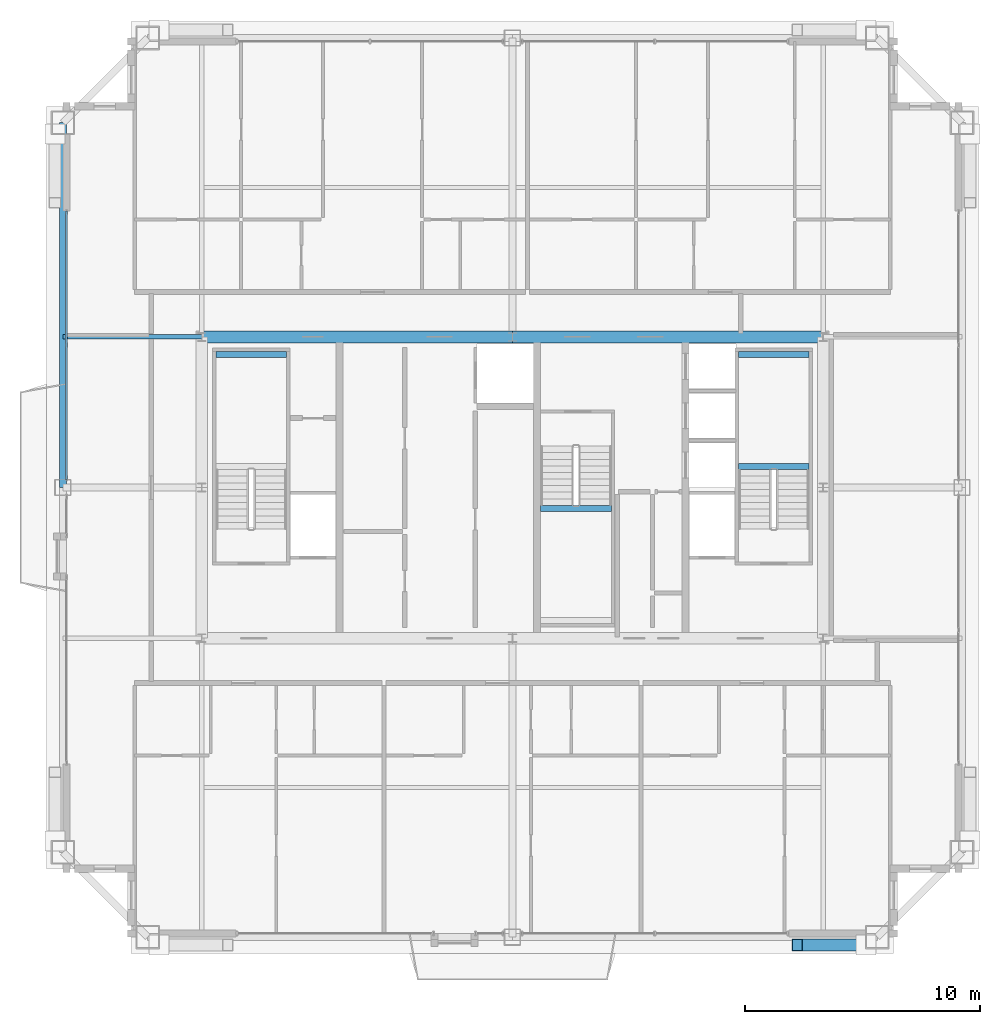
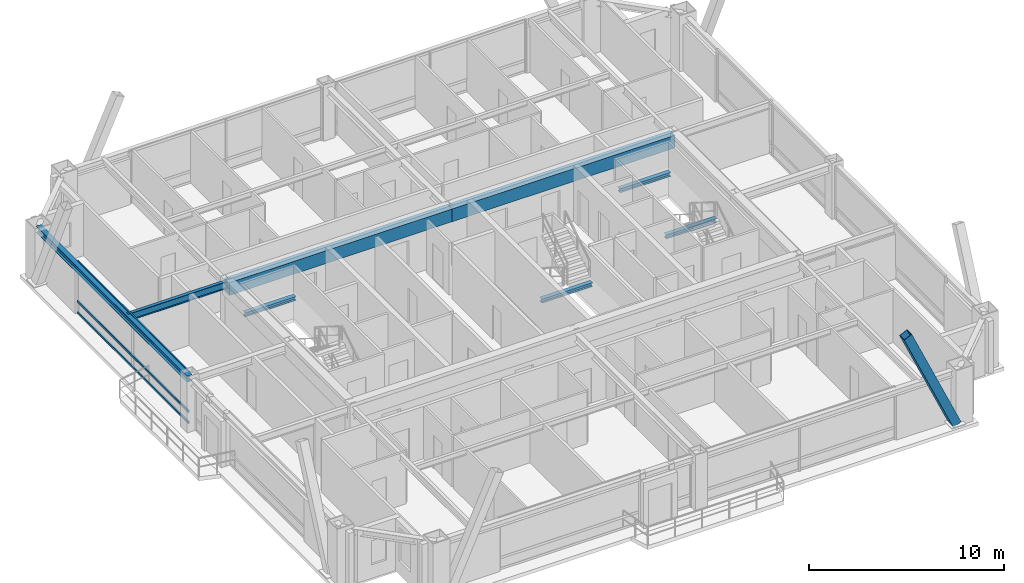
# One storey, part 10 of 33: 8 beams, 4 members, 1 element without a shape of its own.
"""IFC4 building model written with IfcOpenShell, lengths in metres."""

from ifc_helpers import new_model, si_unit, direction, frame, origin, origin_2d, place, context, subcontext, project, spatial, rectangle, hollow_rectangle, i_section, extrude, source, transform, mapped, material, layer, layer_set, material_profile, profile_set, type_object, element, aggregate, save


model = new_model("IFC4")

# Units and contexts
model_context = context("Model", 3, precision=1e-05, world=origin(), true_north=direction((0.0, 1.0)))
body_context = subcontext(model_context, "Body", "Model", "MODEL_VIEW")
ifc_project = project(units=[si_unit("LENGTHUNIT", "METRE"), si_unit("AREAUNIT", "SQUARE_METRE"), si_unit("VOLUMEUNIT", "CUBIC_METRE"), si_unit("PLANEANGLEUNIT", "RADIAN"), si_unit("MASSUNIT", "GRAM", prefix="KILO"), si_unit("THERMODYNAMICTEMPERATUREUNIT", "KELVIN"), si_unit("POWERUNIT", "WATT")], contexts=[model_context])

# Site, building, storey
site_placement = place(None, origin())
site = spatial("IfcSite", under=ifc_project, at=site_placement, CompositionType="ELEMENT")
building_placement = place(site_placement, origin())
building = spatial("IfcBuilding", under=site, at=building_placement, Name="Yuzanri Waterfront Tower", CompositionType="ELEMENT")
storey_placement = place(building_placement, frame((0.0, 0.0, 292.60009765625)))
storey = spatial("IfcBuildingStorey", under=building, at=storey_placement, Name="L78", CompositionType="ELEMENT", Elevation=292.60009765625)

# Beams
ifc_material_1 = material(Name="Concrete C50", Category="concrete")
ifc_material_profile_1 = material_profile(ifc_material_1, rectangle(XDim=0.5, YDim=0.800048828125, at=origin_2d()), Name="RC 500x800")
ifc_profile_set_1 = profile_set([ifc_material_profile_1], Name="Concrete C50")
beam_type_1 = type_object("IfcBeamType", Name="Core Coupling Lintel Concrete C50 500x800", PredefinedType="LINTEL", material=ifc_profile_set_1)
shared_shape_1 = source(origin(), body_context, "Body", "SweptSolid", [
    extrude(rectangle(XDim=0.5, YDim=0.800048828125, at=origin_2d()), origin(), (0.0, 0.0, 1.0), 13.199951171875),
])
for number, where, z_axis, x_axis, name in (
    (1, (23.800048828125, 32.199951171875, 2.8798828125), (1.0, 0.0, 0.0), (0.0, 1.0, 0.0), "L78 Core Tie Beam CN1"),
    (2, (37.0, 32.199951171875, 2.8798828125), (1.0, 0.0, 0.0), (0.0, 1.0, 0.0), "L78 Core Tie Beam CN2"),
):
    element("IfcBeam", number, at=place(storey_placement, frame(where, z_axis=z_axis, x_axis=x_axis)), inside=storey, type_object=beam_type_1, Name=name, PredefinedType="LINTEL", context=body_context, shape_type="MappedRepresentation", body=[
        mapped(shared_shape_1, transform((0.0, 0.0, 0.0), scale=1.0)),
    ])
ifc_material_2 = material(Name="Steel Q355B", Category="steel")
ifc_material_profile_2 = material_profile(ifc_material_2, i_section(OverallWidth=0.300048828125, OverallDepth=0.389892578125, WebThickness=0.010009765625, FlangeThickness=0.01611328125, at=origin_2d()), Name="HM 390x300x10x16")
ifc_profile_set_2 = profile_set([ifc_material_profile_2], Name="Steel Q355B")
beam_type_2 = type_object("IfcBeamType", Name="Perimeter Spandrel Q355B HM 390x300", PredefinedType="SPANDREL", material=ifc_profile_set_2)
shared_shape_2 = source(origin(), body_context, "Body", "SweptSolid", [
    extrude(i_section(OverallWidth=0.300048828125, OverallDepth=0.389892578125, WebThickness=0.010009765625, FlangeThickness=0.01611328125, at=origin_2d()), origin(), (0.0, 0.0, 1.0), 15.5),
])
beam_1_placement = place(storey_placement, frame((17.89990234375, 41.300048828125, 3.0849609375), z_axis=(0.0, -1.0, 0.0), x_axis=(1.0, 0.0, 0.0)))
element("IfcBeam", 3, at=beam_1_placement, inside=storey, type_object=beam_type_2, Name="L78 Perimeter Spandrel W3-W2", PredefinedType="SPANDREL", context=body_context, shape_type="MappedRepresentation", body=[
    mapped(shared_shape_2, transform((0.0, 0.0, 0.0), scale=1.0)),
])
ifc_material_3 = material(Name="Steel Q355B", Category="steel")
ifc_material_profile_3 = material_profile(ifc_material_3, i_section(OverallWidth=0.199951171875, OverallDepth=0.449951171875, WebThickness=0.009033203125, FlangeThickness=0.013916015625, at=origin_2d()), Name="HN 450x200x9x14")
ifc_profile_set_3 = profile_set([ifc_material_profile_3], Name="Steel Q355B")
beam_type_3 = type_object("IfcBeamType", Name="Secondary Floor Beam Q355B HN 450x200", PredefinedType="BEAM", material=ifc_profile_set_3)
shared_shape_3 = source(origin(), body_context, "Body", "SweptSolid", [
    extrude(i_section(OverallWidth=0.199951171875, OverallDepth=0.449951171875, WebThickness=0.009033203125, FlangeThickness=0.013916015625, at=origin_2d()), origin(), (0.0, 0.0, 1.0), 5.900146484375),
])
beam_2_placement = place(storey_placement, frame((23.800048828125, 32.199951171875, 3.054931640625), z_axis=(-1.0, 0.0, 0.0), x_axis=(0.0, -1.0, 0.0)))
element("IfcBeam", 4, at=beam_2_placement, inside=storey, type_object=beam_type_3, Name="L78 West-North Core Line Beam", PredefinedType="BEAM", context=body_context, shape_type="MappedRepresentation", body=[
    mapped(shared_shape_3, transform((0.0, 0.0, 0.0), scale=1.0)),
])

# Member
ifc_material_4 = material(Name="Steel Q390GJC", Category="steel")
ifc_material_profile_4 = material_profile(ifc_material_4, hollow_rectangle(XDim=0.5, YDim=0.5, WallThickness=0.02197265625, at=origin_2d()), Name="RHS 500x500x22")
ifc_profile_set_4 = profile_set([ifc_material_profile_4], Name="Steel Q390GJC")
member_type_1 = type_object("IfcMemberType", Name="Mega Brace Upper Q390GJC RHS 500x500x22", PredefinedType="BRACE", material=ifc_profile_set_4)
shared_shape_4 = source(origin(), body_context, "Body", "SweptSolid", [
    extrude(hollow_rectangle(XDim=0.5, YDim=0.5, WallThickness=0.02197265625, at=origin_2d()), origin(), (0.0, 0.0, 1.0), 7.125732421875),
])
member_1_placement = place(storey_placement, frame((52.02001953125, 6.360107421875, 0.179931640625), z_axis=(-0.409771952938, 0.0, 0.912187999584), x_axis=(0.0, -1.0, 0.0)))
element("IfcMember", 5, at=member_1_placement, inside=storey, type_object=member_type_1, Name="L78-L79 Perimeter Mega-Brace S-R", PredefinedType="BRACE", context=body_context, shape_type="MappedRepresentation", body=[
    mapped(shared_shape_4, transform((0.0, 0.0, 0.0), scale=1.0)),
])

# Curtain wall, members
ifc_material_5 = material(Name="Anodized Architectural Bronze", Category="metal")
ifc_layer = layer(ifc_material_5, 0.159912109375)
ifc_layer_set = layer_set([ifc_layer], Name="Anodized Architectural Bronze")
curtain_wall_type = type_object("IfcCurtainWallType", Name="Anodized Bronze High-Rise Penthouse High-Wind Unitized Curtain Wall 6900", PredefinedType="NOTDEFINED", material=ifc_layer_set)
curtain_wall_placement = place(storey_placement, origin())
curtain_wall = element("IfcCurtainWall", 6, at=curtain_wall_placement, inside=storey, type_object=curtain_wall_type, Name="L78 Curtain Wall CW-L78-WR", PredefinedType="NOTDEFINED")
ifc_material_6 = material(Name="Anodized Architectural Bronze", Category="metal")
ifc_material_profile_5 = material_profile(ifc_material_6, hollow_rectangle(XDim=0.074951171875, YDim=0.14990234375, WallThickness=0.00390625, at=origin_2d()), Name="CWT 75x150")
ifc_profile_set_5 = profile_set([ifc_material_profile_5], Name="Anodized Architectural Bronze")
member_type_2 = type_object("IfcMemberType", Name="Anodized Bronze Primary Curtain-Wall Transom 75x150", PredefinedType="USERDEFINED", material=ifc_profile_set_5)
shared_shape_5 = source(origin(), body_context, "Body", "SweptSolid", [
    extrude(hollow_rectangle(XDim=0.074951171875, YDim=0.14990234375, WallThickness=0.00390625, at=origin_2d()), origin(), (0.0, 0.0, 1.0), 11.400146484375),
])
member_2_placement = place(storey_placement, frame((18.050048828125, 26.14990234375, 0.0498046875), z_axis=(0.0, 1.0, 0.0), x_axis=(-1.0, 0.0, 0.0)))
member_2 = element("IfcMember", 7, at=member_2_placement, type_object=member_type_2, Name="CW-L78-WR Transom 1", ObjectType="TRANSOM", PredefinedType="USERDEFINED", context=body_context, shape_type="MappedRepresentation", body=[
    mapped(shared_shape_5, transform((0.0, 0.0, 0.0), scale=1.0)),
])
member_3_placement = place(storey_placement, frame((18.050048828125, 26.14990234375, 0.75390625), z_axis=(0.0, 1.0, 0.0), x_axis=(-1.0, 0.0, 0.0)))
member_3 = element("IfcMember", 8, at=member_3_placement, type_object=member_type_2, Name="CW-L78-WR Transom 2", ObjectType="TRANSOM", PredefinedType="USERDEFINED", context=body_context, shape_type="MappedRepresentation", body=[
    mapped(shared_shape_5, transform((0.0, 0.0, 0.0), scale=1.0)),
])
member_4_placement = place(storey_placement, frame((18.050048828125, 26.14990234375, 3.22998046875), z_axis=(0.0, 1.0, 0.0), x_axis=(-1.0, 0.0, 0.0)))
member_4 = element("IfcMember", 9, at=member_4_placement, type_object=member_type_2, Name="CW-L78-WR Transom 3", ObjectType="TRANSOM", PredefinedType="USERDEFINED", context=body_context, shape_type="MappedRepresentation", body=[
    mapped(shared_shape_5, transform((0.0, 0.0, 0.0), scale=1.0)),
])
aggregate(curtain_wall, [member_2, member_3, member_4])

# Beams
ifc_material_7 = material(Name="Steel Q355B", Category="steel")
ifc_material_profile_6 = material_profile(ifc_material_7, i_section(OverallWidth=0.25, OverallDepth=0.25, WebThickness=0.009033203125, FlangeThickness=0.013916015625, at=origin_2d()), Name="HW 250x250x9x14")
ifc_profile_set_6 = profile_set([ifc_material_profile_6], Name="Steel Q355B")
beam_type_4 = type_object("IfcBeamType", Name="Stair Landing Support Beam Q355B HW 250x250", PredefinedType="BEAM", material=ifc_profile_set_6)
shared_shape_6 = source(origin(), body_context, "Body", "SweptSolid", [
    extrude(i_section(OverallWidth=0.25, OverallDepth=0.25, WebThickness=0.009033203125, FlangeThickness=0.013916015625, at=origin_2d()), origin(), (0.0, 0.0, 1.0), 3.0),
])
for number, where, z_axis, x_axis, name in (
    (10, (24.39990234375, 31.449951171875, 1.4248046875), (1.0, 0.0, 0.0), (0.0, 1.0, 0.0), "L78 Stair Landing Support Beam ST-01-L78-L1-2"),
    (11, (46.60009765625, 26.68994140625, 1.4248046875), (1.0, 0.0, 0.0), (0.0, 1.0, 0.0), "L78 Stair Landing Support Beam ST-02-L78-L1-1"),
    (12, (46.60009765625, 31.449951171875, 1.4248046875), (1.0, 0.0, 0.0), (0.0, 1.0, 0.0), "L78 Stair Landing Support Beam ST-02-L78-L1-2"),
    (13, (38.199951171875, 24.909912109375, 1.4248046875), (1.0, 0.0, 0.0), (0.0, 1.0, 0.0), "L78 Stair Landing Support Beam ST-03-L78-L1-2"),
):
    element("IfcBeam", number, at=place(storey_placement, frame(where, z_axis=z_axis, x_axis=x_axis)), inside=storey, type_object=beam_type_4, Name=name, PredefinedType="BEAM", context=body_context, shape_type="MappedRepresentation", body=[
        mapped(shared_shape_6, transform((0.0, 0.0, 0.0), scale=1.0)),
    ])

save(model, "model.ifc")
